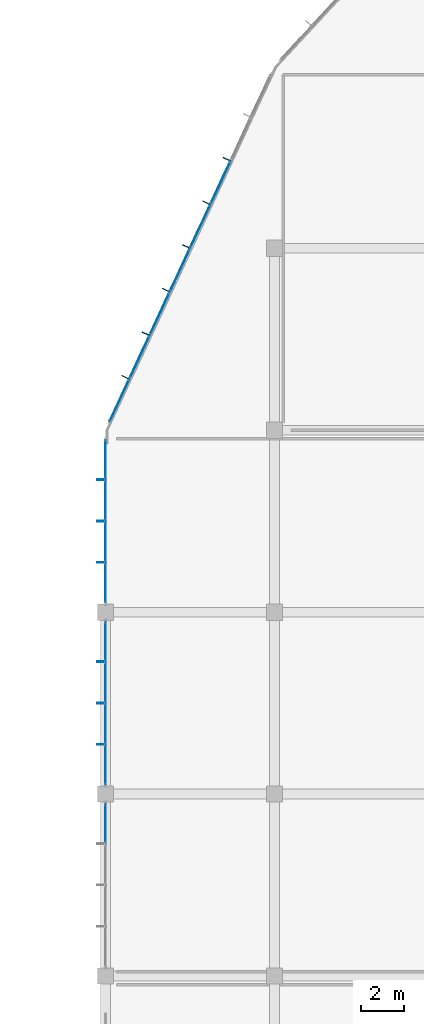
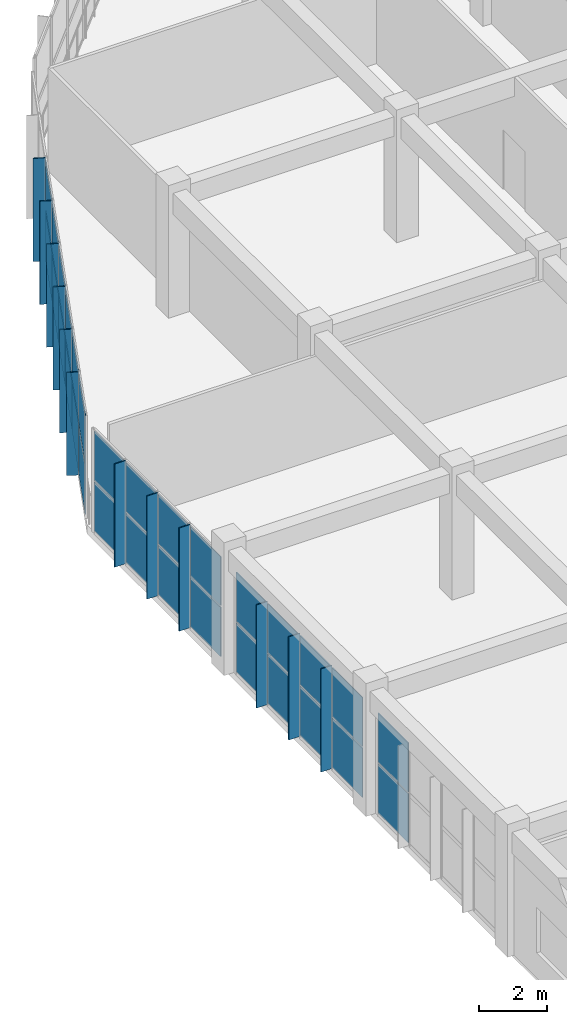
# One storey, part 129 of 167: 42 plates, 4 elements without a shape of their own.
"""IFC4 building model written with IfcOpenShell, lengths in metres."""

from ifc_helpers import new_model, si_unit, direction, frame, origin, origin_2d, place, context, subcontext, project, spatial, polyline, rectangle, outline, extrude, material, layer, layer_set, type_object, element, aggregate, save


model = new_model("IFC4")

# Units and contexts
model_context = context("Model", 3, precision=1e-05, world=origin(), true_north=direction((0.0, 1.0)))
body_context = subcontext(model_context, "Body", "Model", "MODEL_VIEW")
ifc_project = project(units=[si_unit("LENGTHUNIT", "METRE"), si_unit("AREAUNIT", "SQUARE_METRE"), si_unit("VOLUMEUNIT", "CUBIC_METRE"), si_unit("PLANEANGLEUNIT", "RADIAN"), si_unit("MASSUNIT", "GRAM", prefix="KILO")], contexts=[model_context])

# Site, building, storey
site_placement = place(None, origin())
site = spatial("IfcSite", under=ifc_project, at=site_placement, CompositionType="ELEMENT")
building_placement = place(site_placement, origin())
building = spatial("IfcBuilding", under=site, at=building_placement, Name="Zizhar Promenade General Hospital", CompositionType="ELEMENT")
storey_placement = place(building_placement, frame((0.0, 0.0, 9.60009765625)))
storey = spatial("IfcBuildingStorey", under=building, at=storey_placement, Name="L02", CompositionType="ELEMENT", Elevation=9.60009765625)

# Curtain wall, plates
ifc_material_1 = material(Name="Anodised aluminium 6063-T6 and low-E glass", Category="aluminium")
ifc_layer_1 = layer(ifc_material_1, 0.159912109375)
ifc_layer_set_1 = layer_set([ifc_layer_1], Name="Anodised aluminium 6063-T6 and low-E glass")
curtain_wall_type_1 = type_object("IfcCurtainWallType", Name="CW-ED-FRONT", PredefinedType="NOTDEFINED", material=ifc_layer_set_1)
curtain_wall_1_placement = place(storey_placement, origin())
curtain_wall_1 = element("IfcCurtainWall", 1, at=curtain_wall_1_placement, inside=storey, type_object=curtain_wall_type_1, Name="West Diagnostic Arm Glazed Curtain Wall L02-W3", PredefinedType="NOTDEFINED")
ifc_material_2 = material(Name="Low-E solar-control glass", Category="glass")
ifc_layer_2 = layer(ifc_material_2, 0.031982421875)
ifc_layer_set_2 = layer_set([ifc_layer_2], Name="Low-E solar-control glass")
plate_type_1 = type_object("IfcPlateType", Name="CWP-GLZ-32", PredefinedType="CURTAIN_PANEL", material=ifc_layer_set_2)
plate_1_placement = place(storey_placement, frame((0.0, 32.2451171875, 0.06005859375), z_axis=(0.0, 0.0, 1.0), x_axis=(0.0, 1.0, 0.0)))
plate_1 = element("IfcPlate", 2, at=plate_1_placement, type_object=plate_type_1, Name="CW-06 panel 4.1", PredefinedType="CURTAIN_PANEL", context=body_context, shape_type="SweptSolid", body=[
    extrude(rectangle(XDim=1.7900390625, YDim=0.031982421875, at=origin_2d()), origin(), (0.0, 0.0, 1.0), 1.77490234375),
])
plate_2_placement = place(storey_placement, frame((0.0, 32.2451171875, 1.89501953125), z_axis=(0.0, 0.0, 1.0), x_axis=(0.0, 1.0, 0.0)))
plate_2 = element("IfcPlate", 3, at=plate_2_placement, type_object=plate_type_1, Name="CW-06 panel 4.2", PredefinedType="CURTAIN_PANEL", context=body_context, shape_type="SweptSolid", body=[
    extrude(rectangle(XDim=1.7900390625, YDim=0.031982421875, at=origin_2d()), origin(), (0.0, 0.0, 1.0), 1.77490234375),
])
aggregate(curtain_wall_1, [plate_1, plate_2])

curtain_wall_2_placement = place(storey_placement, origin())
curtain_wall_2 = element("IfcCurtainWall", 4, at=curtain_wall_2_placement, inside=storey, type_object=curtain_wall_type_1, Name="West Diagnostic Arm Glazed Curtain Wall L02-W4", PredefinedType="NOTDEFINED")
plate_3_placement = place(storey_placement, frame((0.0, 34.955078125, 0.06005859375), z_axis=(0.0, 0.0, 1.0), x_axis=(0.0, 1.0, 0.0)))
plate_3 = element("IfcPlate", 5, at=plate_3_placement, type_object=plate_type_1, Name="CW-06 panel 1.1", PredefinedType="CURTAIN_PANEL", context=body_context, shape_type="SweptSolid", body=[
    extrude(rectangle(XDim=1.7900390625, YDim=0.031982421875, at=origin_2d()), origin(), (0.0, 0.0, 1.0), 1.77490234375),
])
plate_4_placement = place(storey_placement, frame((0.0, 34.955078125, 1.89501953125), z_axis=(0.0, 0.0, 1.0), x_axis=(0.0, 1.0, 0.0)))
plate_4 = element("IfcPlate", 6, at=plate_4_placement, type_object=plate_type_1, Name="CW-06 panel 1.2", PredefinedType="CURTAIN_PANEL", context=body_context, shape_type="SweptSolid", body=[
    extrude(rectangle(XDim=1.7900390625, YDim=0.031982421875, at=origin_2d()), origin(), (0.0, 0.0, 1.0), 1.77490234375),
])
plate_5_placement = place(storey_placement, frame((0.0, 36.844970703125, 0.06005859375), z_axis=(0.0, 0.0, 1.0), x_axis=(0.0, 1.0, 0.0)))
plate_5 = element("IfcPlate", 7, at=plate_5_placement, type_object=plate_type_1, Name="CW-06 panel 2.1", PredefinedType="CURTAIN_PANEL", context=body_context, shape_type="SweptSolid", body=[
    extrude(rectangle(XDim=1.830078125, YDim=0.031982421875, at=origin_2d()), origin(), (0.0, 0.0, 1.0), 1.77490234375),
])
plate_6_placement = place(storey_placement, frame((0.0, 36.844970703125, 1.89501953125), z_axis=(0.0, 0.0, 1.0), x_axis=(0.0, 1.0, 0.0)))
plate_6 = element("IfcPlate", 8, at=plate_6_placement, type_object=plate_type_1, Name="CW-06 panel 2.2", PredefinedType="CURTAIN_PANEL", context=body_context, shape_type="SweptSolid", body=[
    extrude(rectangle(XDim=1.830078125, YDim=0.031982421875, at=origin_2d()), origin(), (0.0, 0.0, 1.0), 1.77490234375),
])
plate_7_placement = place(storey_placement, frame((0.0, 38.7548828125, 0.06005859375), z_axis=(0.0, 0.0, 1.0), x_axis=(0.0, 1.0, 0.0)))
plate_7 = element("IfcPlate", 9, at=plate_7_placement, type_object=plate_type_1, Name="CW-06 panel 3.1", PredefinedType="CURTAIN_PANEL", context=body_context, shape_type="SweptSolid", body=[
    extrude(rectangle(XDim=1.830078125, YDim=0.031982421875, at=origin_2d()), origin(), (0.0, 0.0, 1.0), 1.77490234375),
])
plate_8_placement = place(storey_placement, frame((0.0, 38.7548828125, 1.89501953125), z_axis=(0.0, 0.0, 1.0), x_axis=(0.0, 1.0, 0.0)))
plate_8 = element("IfcPlate", 10, at=plate_8_placement, type_object=plate_type_1, Name="CW-06 panel 3.2", PredefinedType="CURTAIN_PANEL", context=body_context, shape_type="SweptSolid", body=[
    extrude(rectangle(XDim=1.830078125, YDim=0.031982421875, at=origin_2d()), origin(), (0.0, 0.0, 1.0), 1.77490234375),
])
plate_9_placement = place(storey_placement, frame((0.0, 40.64501953125, 0.06005859375), z_axis=(0.0, 0.0, 1.0), x_axis=(0.0, 1.0, 0.0)))
plate_9 = element("IfcPlate", 11, at=plate_9_placement, type_object=plate_type_1, Name="CW-06 panel 4.1", PredefinedType="CURTAIN_PANEL", context=body_context, shape_type="SweptSolid", body=[
    extrude(rectangle(XDim=1.7900390625, YDim=0.031982421875, at=origin_2d()), origin(), (0.0, 0.0, 1.0), 1.77490234375),
])
plate_10_placement = place(storey_placement, frame((0.0, 40.64501953125, 1.89501953125), z_axis=(0.0, 0.0, 1.0), x_axis=(0.0, 1.0, 0.0)))
plate_10 = element("IfcPlate", 12, at=plate_10_placement, type_object=plate_type_1, Name="CW-06 panel 4.2", PredefinedType="CURTAIN_PANEL", context=body_context, shape_type="SweptSolid", body=[
    extrude(rectangle(XDim=1.7900390625, YDim=0.031982421875, at=origin_2d()), origin(), (0.0, 0.0, 1.0), 1.77490234375),
])
aggregate(curtain_wall_2, [plate_3, plate_4, plate_5, plate_6, plate_7, plate_8, plate_9, plate_10])

curtain_wall_3_placement = place(storey_placement, origin())
curtain_wall_3 = element("IfcCurtainWall", 13, at=curtain_wall_3_placement, inside=storey, type_object=curtain_wall_type_1, Name="West Diagnostic Arm Glazed Curtain Wall L02-W5", PredefinedType="NOTDEFINED")
plate_11_placement = place(storey_placement, frame((0.0, 43.35498046875, 0.06005859375), z_axis=(0.0, 0.0, 1.0), x_axis=(0.0, 1.0, 0.0)))
plate_11 = element("IfcPlate", 14, at=plate_11_placement, type_object=plate_type_1, Name="CW-06 panel 1.1", PredefinedType="CURTAIN_PANEL", context=body_context, shape_type="SweptSolid", body=[
    extrude(rectangle(XDim=1.7900390625, YDim=0.031982421875, at=origin_2d()), origin(), (0.0, 0.0, 1.0), 1.77490234375),
])
plate_12_placement = place(storey_placement, frame((0.0, 43.35498046875, 1.89501953125), z_axis=(0.0, 0.0, 1.0), x_axis=(0.0, 1.0, 0.0)))
plate_12 = element("IfcPlate", 15, at=plate_12_placement, type_object=plate_type_1, Name="CW-06 panel 1.2", PredefinedType="CURTAIN_PANEL", context=body_context, shape_type="SweptSolid", body=[
    extrude(rectangle(XDim=1.7900390625, YDim=0.031982421875, at=origin_2d()), origin(), (0.0, 0.0, 1.0), 1.77490234375),
])
plate_13_placement = place(storey_placement, frame((0.0, 45.2451171875, 0.06005859375), z_axis=(0.0, 0.0, 1.0), x_axis=(0.0, 1.0, 0.0)))
plate_13 = element("IfcPlate", 16, at=plate_13_placement, type_object=plate_type_1, Name="CW-06 panel 2.1", PredefinedType="CURTAIN_PANEL", context=body_context, shape_type="SweptSolid", body=[
    extrude(rectangle(XDim=1.830078125, YDim=0.031982421875, at=origin_2d()), origin(), (0.0, 0.0, 1.0), 1.77490234375),
])
plate_14_placement = place(storey_placement, frame((0.0, 45.2451171875, 1.89501953125), z_axis=(0.0, 0.0, 1.0), x_axis=(0.0, 1.0, 0.0)))
plate_14 = element("IfcPlate", 17, at=plate_14_placement, type_object=plate_type_1, Name="CW-06 panel 2.2", PredefinedType="CURTAIN_PANEL", context=body_context, shape_type="SweptSolid", body=[
    extrude(rectangle(XDim=1.830078125, YDim=0.031982421875, at=origin_2d()), origin(), (0.0, 0.0, 1.0), 1.77490234375),
])
plate_15_placement = place(storey_placement, frame((0.0, 47.155029296875, 0.06005859375), z_axis=(0.0, 0.0, 1.0), x_axis=(0.0, 1.0, 0.0)))
plate_15 = element("IfcPlate", 18, at=plate_15_placement, type_object=plate_type_1, Name="CW-06 panel 3.1", PredefinedType="CURTAIN_PANEL", context=body_context, shape_type="SweptSolid", body=[
    extrude(rectangle(XDim=1.830078125, YDim=0.031982421875, at=origin_2d()), origin(), (0.0, 0.0, 1.0), 1.77490234375),
])
plate_16_placement = place(storey_placement, frame((0.0, 47.155029296875, 1.89501953125), z_axis=(0.0, 0.0, 1.0), x_axis=(0.0, 1.0, 0.0)))
plate_16 = element("IfcPlate", 19, at=plate_16_placement, type_object=plate_type_1, Name="CW-06 panel 3.2", PredefinedType="CURTAIN_PANEL", context=body_context, shape_type="SweptSolid", body=[
    extrude(rectangle(XDim=1.830078125, YDim=0.031982421875, at=origin_2d()), origin(), (0.0, 0.0, 1.0), 1.77490234375),
])
plate_17_placement = place(storey_placement, frame((0.0, 49.044921875, 0.06005859375), z_axis=(0.0, 0.0, 1.0), x_axis=(0.0, 1.0, 0.0)))
plate_17 = element("IfcPlate", 20, at=plate_17_placement, type_object=plate_type_1, Name="CW-06 panel 4.1", PredefinedType="CURTAIN_PANEL", context=body_context, shape_type="SweptSolid", body=[
    extrude(rectangle(XDim=1.7900390625, YDim=0.031982421875, at=origin_2d()), origin(), (0.0, 0.0, 1.0), 1.77490234375),
])
plate_18_placement = place(storey_placement, frame((0.0, 49.044921875, 1.89501953125), z_axis=(0.0, 0.0, 1.0), x_axis=(0.0, 1.0, 0.0)))
plate_18 = element("IfcPlate", 21, at=plate_18_placement, type_object=plate_type_1, Name="CW-06 panel 4.2", PredefinedType="CURTAIN_PANEL", context=body_context, shape_type="SweptSolid", body=[
    extrude(rectangle(XDim=1.7900390625, YDim=0.031982421875, at=origin_2d()), origin(), (0.0, 0.0, 1.0), 1.77490234375),
])
aggregate(curtain_wall_3, [plate_11, plate_12, plate_13, plate_14, plate_15, plate_16, plate_17, plate_18])

ifc_material_3 = material(Name="Anodised aluminium 6063-T6 and low-E glass", Category="aluminium")
ifc_layer_3 = layer(ifc_material_3, 0.159912109375)
ifc_layer_set_3 = layer_set([ifc_layer_3], Name="Anodised aluminium 6063-T6 and low-E glass")
curtain_wall_type_2 = type_object("IfcCurtainWallType", Name="CW-DT-MOD2", PredefinedType="NOTDEFINED", material=ifc_layer_set_3)
curtain_wall_4_placement = place(storey_placement, origin())
curtain_wall_4 = element("IfcCurtainWall", 22, at=curtain_wall_4_placement, inside=storey, type_object=curtain_wall_type_2, Name="West Diagnostic Arm Glazed Curtain Wall L02-NW1", PredefinedType="NOTDEFINED")
plate_19_placement = place(storey_placement, frame((0.635986328125, 51.769775390625, 0.06005859375), z_axis=(0.0, 0.0, 1.0), x_axis=(0.421114945486, 0.907007278189, 0.0)))
plate_19 = element("IfcPlate", 23, at=plate_19_placement, type_object=plate_type_1, Name="CW-08 panel 1.1", PredefinedType="CURTAIN_PANEL", context=body_context, shape_type="SweptSolid", body=[
    extrude(rectangle(XDim=2.100341796875, YDim=0.031982421875, at=origin_2d()), origin(), (0.0, 0.0, 1.0), 1.77490234375),
])
plate_20_placement = place(storey_placement, frame((0.635986328125, 51.769775390625, 1.89501953125), z_axis=(0.0, 0.0, 1.0), x_axis=(0.421114945486, 0.907007278189, 0.0)))
plate_20 = element("IfcPlate", 24, at=plate_20_placement, type_object=plate_type_1, Name="CW-08 panel 1.2", PredefinedType="CURTAIN_PANEL", context=body_context, shape_type="SweptSolid", body=[
    extrude(rectangle(XDim=2.100341796875, YDim=0.031982421875, at=origin_2d()), origin(), (0.0, 0.0, 1.0), 1.77490234375),
])
plate_21_placement = place(storey_placement, frame((1.5625, 53.765380859375, 0.06005859375), z_axis=(0.0, 0.0, 1.0), x_axis=(0.421114945486, 0.907007278189, 0.0)))
plate_21 = element("IfcPlate", 25, at=plate_21_placement, type_object=plate_type_1, Name="CW-08 panel 2.1", PredefinedType="CURTAIN_PANEL", context=body_context, shape_type="SweptSolid", body=[
    extrude(rectangle(XDim=2.140380859375, YDim=0.031982421875, at=origin_2d()), origin(), (0.0, 0.0, 1.0), 1.77490234375),
])
plate_22_placement = place(storey_placement, frame((1.5625, 53.765380859375, 1.89501953125), z_axis=(0.0, 0.0, 1.0), x_axis=(0.421114945486, 0.907007278189, 0.0)))
plate_22 = element("IfcPlate", 26, at=plate_22_placement, type_object=plate_type_1, Name="CW-08 panel 2.2", PredefinedType="CURTAIN_PANEL", context=body_context, shape_type="SweptSolid", body=[
    extrude(rectangle(XDim=2.140380859375, YDim=0.031982421875, at=origin_2d()), origin(), (0.0, 0.0, 1.0), 1.77490234375),
])
plate_23_placement = place(storey_placement, frame((2.49755859375, 55.779296875, 0.06005859375), z_axis=(0.0, 0.0, 1.0), x_axis=(0.421114945486, 0.907007278189, 0.0)))
plate_23 = element("IfcPlate", 27, at=plate_23_placement, type_object=plate_type_1, Name="CW-08 panel 3.1", PredefinedType="CURTAIN_PANEL", context=body_context, shape_type="SweptSolid", body=[
    extrude(rectangle(XDim=2.140380859375, YDim=0.031982421875, at=origin_2d()), origin(), (0.0, 0.0, 1.0), 1.77490234375),
])
plate_24_placement = place(storey_placement, frame((2.49755859375, 55.779296875, 1.89501953125), z_axis=(0.0, 0.0, 1.0), x_axis=(0.421114945486, 0.907007278189, 0.0)))
plate_24 = element("IfcPlate", 28, at=plate_24_placement, type_object=plate_type_1, Name="CW-08 panel 3.2", PredefinedType="CURTAIN_PANEL", context=body_context, shape_type="SweptSolid", body=[
    extrude(rectangle(XDim=2.140380859375, YDim=0.031982421875, at=origin_2d()), origin(), (0.0, 0.0, 1.0), 1.77490234375),
])
plate_25_placement = place(storey_placement, frame((3.4326171875, 57.79296875, 0.06005859375), z_axis=(0.0, 0.0, 1.0), x_axis=(0.421114945486, 0.907007278189, 0.0)))
plate_25 = element("IfcPlate", 29, at=plate_25_placement, type_object=plate_type_1, Name="CW-08 panel 4.1", PredefinedType="CURTAIN_PANEL", context=body_context, shape_type="SweptSolid", body=[
    extrude(rectangle(XDim=2.140380859375, YDim=0.031982421875, at=origin_2d()), origin(), (0.0, 0.0, 1.0), 1.77490234375),
])
plate_26_placement = place(storey_placement, frame((3.4326171875, 57.79296875, 1.89501953125), z_axis=(0.0, 0.0, 1.0), x_axis=(0.421114945486, 0.907007278189, 0.0)))
plate_26 = element("IfcPlate", 30, at=plate_26_placement, type_object=plate_type_1, Name="CW-08 panel 4.2", PredefinedType="CURTAIN_PANEL", context=body_context, shape_type="SweptSolid", body=[
    extrude(rectangle(XDim=2.140380859375, YDim=0.031982421875, at=origin_2d()), origin(), (0.0, 0.0, 1.0), 1.77490234375),
])
plate_27_placement = place(storey_placement, frame((4.367431640625, 59.806884765625, 0.06005859375), z_axis=(0.0, 0.0, 1.0), x_axis=(0.421114945486, 0.907007278189, 0.0)))
plate_27 = element("IfcPlate", 31, at=plate_27_placement, type_object=plate_type_1, Name="CW-08 panel 5.1", PredefinedType="CURTAIN_PANEL", context=body_context, shape_type="SweptSolid", body=[
    extrude(rectangle(XDim=2.140380859375, YDim=0.031982421875, at=origin_2d()), origin(), (0.0, 0.0, 1.0), 1.77490234375),
])
plate_28_placement = place(storey_placement, frame((4.367431640625, 59.806884765625, 1.89501953125), z_axis=(0.0, 0.0, 1.0), x_axis=(0.421114945486, 0.907007278189, 0.0)))
plate_28 = element("IfcPlate", 32, at=plate_28_placement, type_object=plate_type_1, Name="CW-08 panel 5.2", PredefinedType="CURTAIN_PANEL", context=body_context, shape_type="SweptSolid", body=[
    extrude(rectangle(XDim=2.140380859375, YDim=0.031982421875, at=origin_2d()), origin(), (0.0, 0.0, 1.0), 1.77490234375),
])
plate_29_placement = place(storey_placement, frame((5.302490234375, 61.82080078125, 0.06005859375), z_axis=(0.0, 0.0, 1.0), x_axis=(0.421114945486, 0.907007278189, 0.0)))
plate_29 = element("IfcPlate", 33, at=plate_29_placement, type_object=plate_type_1, Name="CW-08 panel 6.1", PredefinedType="CURTAIN_PANEL", context=body_context, shape_type="SweptSolid", body=[
    extrude(rectangle(XDim=2.140380859375, YDim=0.031982421875, at=origin_2d()), origin(), (0.0, 0.0, 1.0), 1.77490234375),
])
plate_30_placement = place(storey_placement, frame((5.302490234375, 61.82080078125, 1.89501953125), z_axis=(0.0, 0.0, 1.0), x_axis=(0.421114945486, 0.907007278189, 0.0)))
plate_30 = element("IfcPlate", 34, at=plate_30_placement, type_object=plate_type_1, Name="CW-08 panel 6.2", PredefinedType="CURTAIN_PANEL", context=body_context, shape_type="SweptSolid", body=[
    extrude(rectangle(XDim=2.140380859375, YDim=0.031982421875, at=origin_2d()), origin(), (0.0, 0.0, 1.0), 1.77490234375),
])
aggregate(curtain_wall_4, [plate_19, plate_20, plate_21, plate_22, plate_23, plate_24, plate_25, plate_26, plate_27, plate_28, plate_29, plate_30])

# Plates
ifc_material_4 = material(Name="Anodised aluminium 6063-T6", Category="aluminium")
ifc_layer_4 = layer(ifc_material_4, 0.035888671875)
ifc_layer_set_4 = layer_set([ifc_layer_4], Name="Anodised aluminium 6063-T6")
plate_type_2 = type_object("IfcPlateType", Name="FIN-ALU-380", PredefinedType="USERDEFINED", material=ifc_layer_set_4)
plate_31_placement = place(storey_placement, origin())
element("IfcPlate", 35, at=plate_31_placement, inside=storey, type_object=plate_type_2, Name="West Diagnostic Arm Glazed Curtain Wall L02-W4 Solar Fin 1", ObjectType="SOLAR_SHADE", PredefinedType="USERDEFINED", context=body_context, shape_type="SweptSolid", body=[
    extrude(outline(polyline([(0.0, 35.8720703125), (0.0, 35.907958984375), (-0.3798828125, 35.907958984375), (-0.3798828125, 35.8720703125), (0.0, 35.8720703125)])), origin(), (0.0, 0.0, 1.0), 3.72998046875),
])
plate_32_placement = place(storey_placement, origin())
element("IfcPlate", 36, at=plate_32_placement, inside=storey, type_object=plate_type_2, Name="West Diagnostic Arm Glazed Curtain Wall L02-W4 Solar Fin 2", ObjectType="SOLAR_SHADE", PredefinedType="USERDEFINED", context=body_context, shape_type="SweptSolid", body=[
    extrude(outline(polyline([(0.0, 37.781982421875), (0.0, 37.818115234375), (-0.3798828125, 37.818115234375), (-0.3798828125, 37.781982421875), (0.0, 37.781982421875)])), origin(), (0.0, 0.0, 1.0), 3.72998046875),
])
plate_33_placement = place(storey_placement, origin())
element("IfcPlate", 37, at=plate_33_placement, inside=storey, type_object=plate_type_2, Name="West Diagnostic Arm Glazed Curtain Wall L02-W4 Solar Fin 3", ObjectType="SOLAR_SHADE", PredefinedType="USERDEFINED", context=body_context, shape_type="SweptSolid", body=[
    extrude(outline(polyline([(0.0, 39.69189453125), (0.0, 39.72802734375), (-0.3798828125, 39.72802734375), (-0.3798828125, 39.69189453125), (0.0, 39.69189453125)])), origin(), (0.0, 0.0, 1.0), 3.72998046875),
])
plate_34_placement = place(storey_placement, origin())
element("IfcPlate", 38, at=plate_34_placement, inside=storey, type_object=plate_type_2, Name="West Diagnostic Arm Glazed Curtain Wall L02-W5 Solar Fin 1", ObjectType="SOLAR_SHADE", PredefinedType="USERDEFINED", context=body_context, shape_type="SweptSolid", body=[
    extrude(outline(polyline([(0.0, 44.27197265625), (0.0, 44.30810546875), (-0.3798828125, 44.30810546875), (-0.3798828125, 44.27197265625), (0.0, 44.27197265625)])), origin(), (0.0, 0.0, 1.0), 3.72998046875),
])
plate_35_placement = place(storey_placement, origin())
element("IfcPlate", 39, at=plate_35_placement, inside=storey, type_object=plate_type_2, Name="West Diagnostic Arm Glazed Curtain Wall L02-W5 Solar Fin 2", ObjectType="SOLAR_SHADE", PredefinedType="USERDEFINED", context=body_context, shape_type="SweptSolid", body=[
    extrude(outline(polyline([(0.0, 46.181884765625), (0.0, 46.218017578125), (-0.3798828125, 46.218017578125), (-0.3798828125, 46.181884765625), (0.0, 46.181884765625)])), origin(), (0.0, 0.0, 1.0), 3.72998046875),
])
plate_36_placement = place(storey_placement, origin())
element("IfcPlate", 40, at=plate_36_placement, inside=storey, type_object=plate_type_2, Name="West Diagnostic Arm Glazed Curtain Wall L02-W5 Solar Fin 3", ObjectType="SOLAR_SHADE", PredefinedType="USERDEFINED", context=body_context, shape_type="SweptSolid", body=[
    extrude(outline(polyline([(0.0, 48.092041015625), (0.0, 48.1279296875), (-0.3798828125, 48.1279296875), (-0.3798828125, 48.092041015625), (0.0, 48.092041015625)])), origin(), (0.0, 0.0, 1.0), 3.72998046875),
])
plate_37_placement = place(storey_placement, origin())
element("IfcPlate", 41, at=plate_37_placement, inside=storey, type_object=plate_type_2, Name="West Diagnostic Arm Glazed Curtain Wall L02-NW1 Solar Fin 1", ObjectType="SOLAR_SHADE", PredefinedType="USERDEFINED", context=body_context, shape_type="SweptSolid", body=[
    extrude(outline(polyline([(1.08740234375, 52.7421875), (1.1025390625, 52.77490234375), (0.7578125, 52.934814453125), (0.742919921875, 52.902099609375), (1.08740234375, 52.7421875)])), origin(), (0.0, 0.0, 1.0), 3.72998046875),
])
plate_38_placement = place(storey_placement, origin())
element("IfcPlate", 42, at=plate_38_placement, inside=storey, type_object=plate_type_2, Name="West Diagnostic Arm Glazed Curtain Wall L02-NW1 Solar Fin 2", ObjectType="SOLAR_SHADE", PredefinedType="USERDEFINED", context=body_context, shape_type="SweptSolid", body=[
    extrude(outline(polyline([(2.0224609375, 54.756103515625), (2.03759765625, 54.788818359375), (1.69287109375, 54.94873046875), (1.677734375, 54.916015625), (2.0224609375, 54.756103515625)])), origin(), (0.0, 0.0, 1.0), 3.72998046875),
])
plate_39_placement = place(storey_placement, origin())
element("IfcPlate", 43, at=plate_39_placement, inside=storey, type_object=plate_type_2, Name="West Diagnostic Arm Glazed Curtain Wall L02-NW1 Solar Fin 3", ObjectType="SOLAR_SHADE", PredefinedType="USERDEFINED", context=body_context, shape_type="SweptSolid", body=[
    extrude(outline(polyline([(2.95751953125, 56.769775390625), (2.97265625, 56.802490234375), (2.6279296875, 56.96240234375), (2.61279296875, 56.929931640625), (2.95751953125, 56.769775390625)])), origin(), (0.0, 0.0, 1.0), 3.72998046875),
])
plate_40_placement = place(storey_placement, origin())
element("IfcPlate", 44, at=plate_40_placement, inside=storey, type_object=plate_type_2, Name="West Diagnostic Arm Glazed Curtain Wall L02-NW1 Solar Fin 4", ObjectType="SOLAR_SHADE", PredefinedType="USERDEFINED", context=body_context, shape_type="SweptSolid", body=[
    extrude(outline(polyline([(3.892333984375, 58.78369140625), (3.90771484375, 58.81640625), (3.56298828125, 58.976318359375), (3.5478515625, 58.943603515625), (3.892333984375, 58.78369140625)])), origin(), (0.0, 0.0, 1.0), 3.72998046875),
])
plate_41_placement = place(storey_placement, origin())
element("IfcPlate", 45, at=plate_41_placement, inside=storey, type_object=plate_type_2, Name="West Diagnostic Arm Glazed Curtain Wall L02-NW1 Solar Fin 5", ObjectType="SOLAR_SHADE", PredefinedType="USERDEFINED", context=body_context, shape_type="SweptSolid", body=[
    extrude(outline(polyline([(4.827392578125, 60.797607421875), (4.842529296875, 60.830078125), (4.497802734375, 60.990234375), (4.48291015625, 60.95751953125), (4.827392578125, 60.797607421875)])), origin(), (0.0, 0.0, 1.0), 3.72998046875),
])
plate_42_placement = place(storey_placement, origin())
element("IfcPlate", 46, at=plate_42_placement, inside=storey, type_object=plate_type_2, Name="West Diagnostic Arm Glazed Curtain Wall L02-NW1 Solar Fin 6", ObjectType="SOLAR_SHADE", PredefinedType="USERDEFINED", context=body_context, shape_type="SweptSolid", body=[
    extrude(outline(polyline([(5.762451171875, 62.811279296875), (5.777587890625, 62.843994140625), (5.432861328125, 63.00390625), (5.417724609375, 62.97119140625), (5.762451171875, 62.811279296875)])), origin(), (0.0, 0.0, 1.0), 3.72998046875),
])

save(model, "model.ifc")
